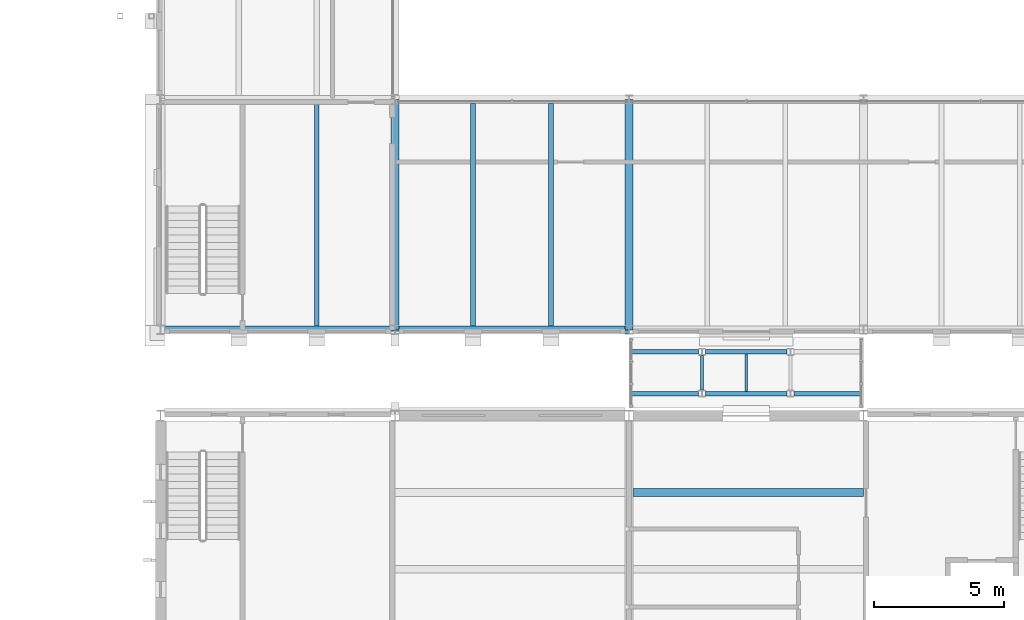
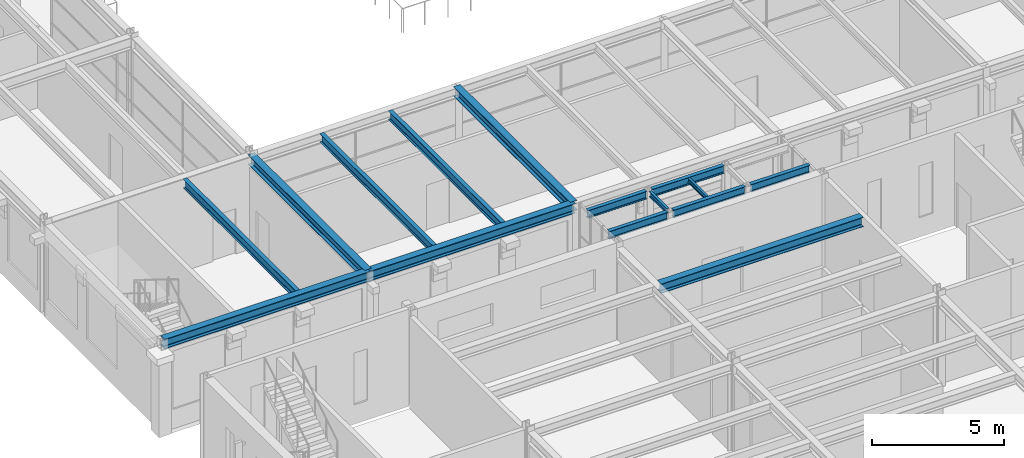
# One storey, part 31 of 153: 15 beams.
"""IFC4 building model written with IfcOpenShell, lengths in metres."""

from ifc_helpers import new_model, si_unit, direction, frame, origin, origin_2d, place, context, subcontext, project, spatial, i_section, extrude, material, material_profile, profile_set, type_object, element, save


model = new_model("IFC4")

# Units and contexts
model_context = context("Model", 3, precision=1e-05, world=origin(), true_north=direction((0.0, 1.0)))
body_context = subcontext(model_context, "Body", "Model", "MODEL_VIEW")
ifc_project = project(units=[si_unit("LENGTHUNIT", "METRE"), si_unit("AREAUNIT", "SQUARE_METRE"), si_unit("VOLUMEUNIT", "CUBIC_METRE"), si_unit("PLANEANGLEUNIT", "RADIAN"), si_unit("MASSUNIT", "GRAM", prefix="KILO")], contexts=[model_context])

# Site, building, storey
site_placement = place(None, origin())
site = spatial("IfcSite", under=ifc_project, at=site_placement, CompositionType="ELEMENT")
building_placement = place(site_placement, origin())
building = spatial("IfcBuilding", under=site, at=building_placement, Name="Kallimachos Central Library", CompositionType="ELEMENT")
storey_placement = place(building_placement, frame((0.0, 0.0, 5.39990234375)))
storey = spatial("IfcBuildingStorey", under=building, at=storey_placement, Name="L01", CompositionType="ELEMENT", Elevation=5.39990234375)

# Beams
ifc_material_1 = material(Name="Steel S355J2", Category="steel")
ifc_material_profile_1 = material_profile(ifc_material_1, i_section(OverallWidth=0.300048828125, OverallDepth=0.43994140625, WebThickness=0.011474609375, FlangeThickness=0.02099609375, FilletRadius=0.027099609375, at=origin_2d()), Name="HEA 450")
ifc_profile_set_1 = profile_set([ifc_material_profile_1], Name="Steel S355J2")
beam_type_1 = type_object("IfcBeamType", Name="HEA 450 beam", PredefinedType="BEAM", material=ifc_profile_set_1)
beam_1_placement = place(storey_placement, frame((83.64990234375, 41.89990234375, 4.030029296875), z_axis=(1.0, 0.0, 0.0), x_axis=(0.0, 1.0, 0.0)))
element("IfcBeam", 1, at=beam_1_placement, inside=storey, type_object=beam_type_1, Name="V5-BEM-L01-026", PredefinedType="BEAM", context=body_context, shape_type="SweptSolid", body=[
    extrude(i_section(OverallWidth=0.300048828125, OverallDepth=0.43994140625, WebThickness=0.011474609375, FlangeThickness=0.02099609375, FilletRadius=0.027099609375, at=origin_2d()), origin(), (0.0, 0.0, 1.0), 8.85009765625),
])
ifc_material_2 = material(Name="Steel S355J2", Category="steel")
ifc_material_profile_2 = material_profile(ifc_material_2, i_section(OverallWidth=0.300048828125, OverallDepth=0.449951171875, WebThickness=0.013916015625, FlangeThickness=0.02587890625, FilletRadius=0.027099609375, at=origin_2d()), Name="HEB 450")
ifc_profile_set_2 = profile_set([ifc_material_profile_2], Name="Steel S355J2")
beam_type_2 = type_object("IfcBeamType", Name="HEB 450 beam", PredefinedType="BEAM", material=ifc_profile_set_2)
for number, where, z_axis, x_axis, name in (
    (2, (65.5, 48.14990234375, 4.025146484375), (1.0, 0.0, 0.0), (0.0, 1.0, 0.0), "V4-BEM-L01-041"),
    (3, (74.5, 48.14990234375, 4.025146484375), (1.0, 0.0, 0.0), (0.0, 1.0, 0.0), "V4-BEM-L01-042"),
):
    element("IfcBeam", number, at=place(storey_placement, frame(where, z_axis=z_axis, x_axis=x_axis)), inside=storey, type_object=beam_type_2, Name=name, PredefinedType="BEAM", context=body_context, shape_type="SweptSolid", body=[
        extrude(i_section(OverallWidth=0.300048828125, OverallDepth=0.449951171875, WebThickness=0.013916015625, FlangeThickness=0.02587890625, FilletRadius=0.027099609375, at=origin_2d()), origin(), (0.0, 0.0, 1.0), 9.0),
    ])
for number, where, z_axis, x_axis, name in (
    (4, (74.5, 48.14990234375, 4.025146484375), (0.0, 1.0, 0.0), (-1.0, 0.0, 0.0), "V4-BEM-L01-050"),
    (5, (83.5, 48.14990234375, 4.025146484375), (0.0, 1.0, 0.0), (-1.0, 0.0, 0.0), "V4-BEM-L01-051"),
):
    element("IfcBeam", number, at=place(storey_placement, frame(where, z_axis=z_axis, x_axis=x_axis)), inside=storey, type_object=beam_type_2, Name=name, PredefinedType="BEAM", context=body_context, shape_type="SweptSolid", body=[
        extrude(i_section(OverallWidth=0.300048828125, OverallDepth=0.449951171875, WebThickness=0.013916015625, FlangeThickness=0.02587890625, FilletRadius=0.027099609375, at=origin_2d()), origin(), (0.0, 0.0, 1.0), 8.85009765625),
    ])
ifc_material_3 = material(Name="Steel S355J2", Category="steel")
ifc_material_profile_3 = material_profile(ifc_material_3, i_section(OverallWidth=0.10009765625, OverallDepth=0.199951171875, WebThickness=0.005615234375, FlangeThickness=0.008544921875, FilletRadius=0.011962890625, at=origin_2d()), Name="IPE 200")
ifc_profile_set_3 = profile_set([ifc_material_profile_3], Name="Steel S355J2")
beam_type_3 = type_object("IfcBeamType", Name="IPE 200 beam", PredefinedType="BEAM", material=ifc_profile_set_3)
beam_2_placement = place(storey_placement, frame((88.0, 45.784912109375, 4.25), z_axis=(0.0, 1.0, 0.0), x_axis=(-1.0, 0.0, 0.0)))
element("IfcBeam", 6, at=beam_2_placement, inside=storey, type_object=beam_type_3, Name="links-BEM-L01-007", PredefinedType="BEAM", context=body_context, shape_type="SweptSolid", body=[
    extrude(i_section(OverallWidth=0.10009765625, OverallDepth=0.199951171875, WebThickness=0.005615234375, FlangeThickness=0.008544921875, FilletRadius=0.011962890625, at=origin_2d()), origin(), (0.0, 0.0, 1.0), 1.43017578125),
])
ifc_material_4 = material(Name="Steel S355J2", Category="steel")
ifc_material_profile_4 = material_profile(ifc_material_4, i_section(OverallWidth=0.1201171875, OverallDepth=0.239990234375, WebThickness=0.006103515625, FlangeThickness=0.009765625, FilletRadius=0.014892578125, at=origin_2d()), Name="IPE 240")
ifc_profile_set_4 = profile_set([ifc_material_profile_4], Name="Steel S355J2")
beam_type_4 = type_object("IfcBeamType", Name="IPE 240 beam", PredefinedType="BEAM", material=ifc_profile_set_4)
beam_3_placement = place(storey_placement, frame((86.300048828125, 45.830078125, 4.22998046875), z_axis=(0.0, 1.0, 0.0), x_axis=(-1.0, 0.0, 0.0)))
element("IfcBeam", 7, at=beam_3_placement, inside=storey, type_object=beam_type_4, Name="links-BEM-L01-008", PredefinedType="BEAM", context=body_context, shape_type="SweptSolid", body=[
    extrude(i_section(OverallWidth=0.1201171875, OverallDepth=0.239990234375, WebThickness=0.006103515625, FlangeThickness=0.009765625, FilletRadius=0.014892578125, at=origin_2d()), origin(), (0.0, 0.0, 1.0), 1.33984375),
])
ifc_material_5 = material(Name="Steel S355J2", Category="steel")
ifc_material_profile_5 = material_profile(ifc_material_5, i_section(OverallWidth=0.169921875, OverallDepth=0.360107421875, WebThickness=0.008056640625, FlangeThickness=0.0126953125, FilletRadius=0.01806640625, at=origin_2d()), Name="IPE 360")
ifc_profile_set_5 = profile_set([ifc_material_profile_5], Name="Steel S355J2")
beam_type_5 = type_object("IfcBeamType", Name="IPE 360 beam", PredefinedType="BEAM", material=ifc_profile_set_5)
beam_4_placement = place(storey_placement, frame((83.60009765625, 45.699951171875, 4.170166015625), z_axis=(1.0, 0.0, 0.0), x_axis=(0.0, 1.0, 0.0)))
element("IfcBeam", 8, at=beam_4_placement, inside=storey, type_object=beam_type_5, Name="links-BEM-L01-001", PredefinedType="BEAM", context=body_context, shape_type="SweptSolid", body=[
    extrude(i_section(OverallWidth=0.169921875, OverallDepth=0.360107421875, WebThickness=0.008056640625, FlangeThickness=0.0126953125, FilletRadius=0.01806640625, at=origin_2d()), origin(), (0.0, 0.0, 1.0), 2.56982421875),
])
beam_5_placement = place(storey_placement, frame((86.429931640625, 45.699951171875, 4.170166015625), z_axis=(1.0, 0.0, 0.0), x_axis=(0.0, 1.0, 0.0)))
element("IfcBeam", 9, at=beam_5_placement, inside=storey, type_object=beam_type_5, Name="links-BEM-L01-002", PredefinedType="BEAM", context=body_context, shape_type="SweptSolid", body=[
    extrude(i_section(OverallWidth=0.169921875, OverallDepth=0.360107421875, WebThickness=0.008056640625, FlangeThickness=0.0126953125, FilletRadius=0.01806640625, at=origin_2d()), origin(), (0.0, 0.0, 1.0), 3.14013671875),
])
for number, where, z_axis, x_axis, name in (
    (10, (89.830078125, 45.699951171875, 4.170166015625), (1.0, 0.0, 0.0), (0.0, 1.0, 0.0), "links-BEM-L01-003"),
    (11, (83.60009765625, 47.300048828125, 4.170166015625), (1.0, 0.0, 0.0), (0.0, 1.0, 0.0), "links-BEM-L01-004"),
):
    element("IfcBeam", number, at=place(storey_placement, frame(where, z_axis=z_axis, x_axis=x_axis)), inside=storey, type_object=beam_type_5, Name=name, PredefinedType="BEAM", context=body_context, shape_type="SweptSolid", body=[
        extrude(i_section(OverallWidth=0.169921875, OverallDepth=0.360107421875, WebThickness=0.008056640625, FlangeThickness=0.0126953125, FilletRadius=0.01806640625, at=origin_2d()), origin(), (0.0, 0.0, 1.0), 2.56982421875),
    ])
beam_6_placement = place(storey_placement, frame((86.429931640625, 47.300048828125, 4.170166015625), z_axis=(1.0, 0.0, 0.0), x_axis=(0.0, 1.0, 0.0)))
element("IfcBeam", 12, at=beam_6_placement, inside=storey, type_object=beam_type_5, Name="links-BEM-L01-005", PredefinedType="BEAM", context=body_context, shape_type="SweptSolid", body=[
    extrude(i_section(OverallWidth=0.169921875, OverallDepth=0.360107421875, WebThickness=0.008056640625, FlangeThickness=0.0126953125, FilletRadius=0.01806640625, at=origin_2d()), origin(), (0.0, 0.0, 1.0), 3.14013671875),
])
ifc_material_6 = material(Name="Steel S355J2", Category="steel")
ifc_material_profile_6 = material_profile(ifc_material_6, i_section(OverallWidth=0.179931640625, OverallDepth=0.39990234375, WebThickness=0.008544921875, FlangeThickness=0.013427734375, FilletRadius=0.02099609375, at=origin_2d()), Name="IPE 400")
ifc_profile_set_6 = profile_set([ifc_material_profile_6], Name="Steel S355J2")
beam_type_6 = type_object("IfcBeamType", Name="IPE 400 beam", PredefinedType="BEAM", material=ifc_profile_set_6)
for number, where, z_axis, x_axis, name in (
    (13, (71.5, 48.300048828125, 4.050048828125), (0.0, 1.0, 0.0), (-1.0, 0.0, 0.0), "V4-BEM-L01-055"),
    (14, (77.5, 48.300048828125, 4.050048828125), (0.0, 1.0, 0.0), (-1.0, 0.0, 0.0), "V4-BEM-L01-056"),
    (15, (80.5, 48.300048828125, 4.050048828125), (0.0, 1.0, 0.0), (-1.0, 0.0, 0.0), "V4-BEM-L01-057"),
):
    element("IfcBeam", number, at=place(storey_placement, frame(where, z_axis=z_axis, x_axis=x_axis)), inside=storey, type_object=beam_type_6, Name=name, PredefinedType="BEAM", context=body_context, shape_type="SweptSolid", body=[
        extrude(i_section(OverallWidth=0.179931640625, OverallDepth=0.39990234375, WebThickness=0.008544921875, FlangeThickness=0.013427734375, FilletRadius=0.02099609375, at=origin_2d()), origin(), (0.0, 0.0, 1.0), 8.550048828125),
    ])

save(model, "model.ifc")
